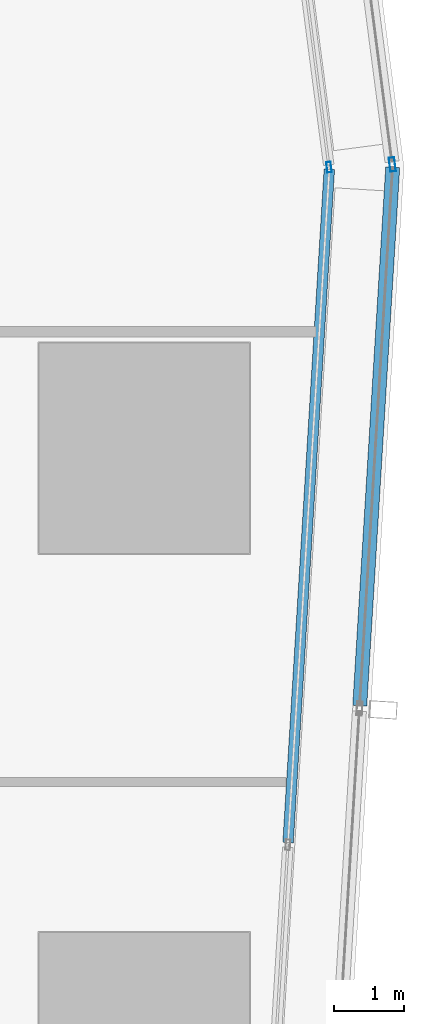
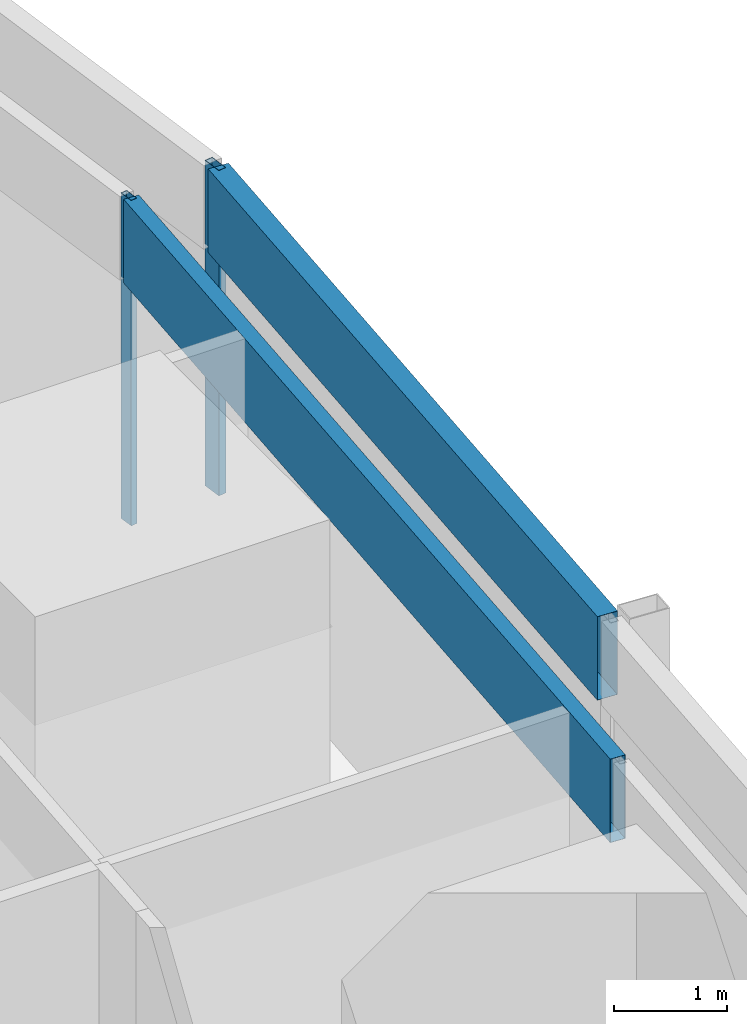
# One storey, part 25 of 39: 4 members, 4 elements without a shape of their own.
"""IFC4 building model written with IfcOpenShell, lengths in metres."""

from ifc_helpers import new_model, si_unit, direction, frame, origin, origin_2d, place, context, subcontext, project, spatial, hollow_rectangle, extrude, material, material_profile, profile_set, type_object, element, aggregate, save


model = new_model("IFC4")

# Units and contexts
model_context = context("Model", 3, precision=1e-05, world=origin(), true_north=direction((0.0, 1.0)))
body_context = subcontext(model_context, "Body", "Model", "MODEL_VIEW")
ifc_project = project(units=[si_unit("LENGTHUNIT", "METRE"), si_unit("AREAUNIT", "SQUARE_METRE"), si_unit("VOLUMEUNIT", "CUBIC_METRE"), si_unit("PLANEANGLEUNIT", "RADIAN"), si_unit("MASSUNIT", "GRAM", prefix="KILO")], contexts=[model_context])

# Site, building, storey
site_placement = place(None, origin())
site = spatial("IfcSite", under=ifc_project, at=site_placement, CompositionType="ELEMENT")
building_placement = place(site_placement, origin())
building = spatial("IfcBuilding", under=site, at=building_placement, Name="Rekha Terrace Tower", CompositionType="ELEMENT")
storey_placement = place(building_placement, frame((0.0, 0.0, 155.300048828125)))
storey = spatial("IfcBuildingStorey", under=building, at=storey_placement, Name="L39", CompositionType="ELEMENT", Elevation=155.300048828125)

# Curtain wall, member
ifc_material_1 = material(Name="Aluminium framing", Category="aluminium")
curtain_wall_type_1 = type_object("IfcCurtainWallType", Name="CW1 double skin inner glazing", PredefinedType="USERDEFINED", material=ifc_material_1)
curtain_wall_1_placement = place(storey_placement, origin())
curtain_wall_1 = element("IfcCurtainWall", 1, at=curtain_wall_1_placement, inside=storey, type_object=curtain_wall_type_1, Name="CW1 double skin inner glazing", ObjectType="DOUBLE SKIN INNER GLAZING", PredefinedType="USERDEFINED")
ifc_material_2 = material(Name="Aluminium mullion section", Category="aluminium")
ifc_material_profile_1 = material_profile(ifc_material_2, hollow_rectangle(XDim=0.06494140625, YDim=0.14990234375, WallThickness=0.00390625, at=origin_2d()), Name="AL RHS 65x150")
ifc_profile_set_1 = profile_set([ifc_material_profile_1], Name="Aluminium mullion section")
member_type_1 = type_object("IfcMemberType", Name="CW1 mullion RHS 65 x 150", PredefinedType="MULLION", material=ifc_profile_set_1)
member_1_placement = place(storey_placement, frame((69.83154296875, 46.00390625, 0.0), z_axis=(0.0, 0.0, 1.0), x_axis=(-0.991629186242, -0.129118383641, 0.0)))
member_1 = element("IfcMember", 2, at=member_1_placement, type_object=member_type_1, Name="CW1 mullion 1", PredefinedType="MULLION", context=body_context, shape_type="SweptSolid", body=[
    extrude(hollow_rectangle(XDim=0.06494140625, YDim=0.14990234375, WallThickness=0.00390625, at=origin_2d()), origin(), (0.0, 0.0, 1.0), 3.5),
])
aggregate(curtain_wall_1, [member_1])

curtain_wall_2_placement = place(storey_placement, origin())
curtain_wall_2 = element("IfcCurtainWall", 3, at=curtain_wall_2_placement, inside=storey, type_object=curtain_wall_type_1, Name="CW1 double skin inner glazing", ObjectType="DOUBLE SKIN INNER GLAZING", PredefinedType="USERDEFINED")
ifc_material_3 = material(Name="Insulated aluminium spandrel box", Category="aluminium")
ifc_material_profile_2 = material_profile(ifc_material_3, hollow_rectangle(XDim=0.14990234375, YDim=0.89990234375, WallThickness=0.0029296875, at=origin_2d()), Name="AL SPANDREL BOX 150x900")
ifc_profile_set_2 = profile_set([ifc_material_profile_2], Name="Insulated aluminium spandrel box")
member_type_2 = type_object("IfcMemberType", Name="CW1 spandrel transom 150 x 900", PredefinedType="USERDEFINED", material=ifc_profile_set_2)
member_2_placement = place(storey_placement, frame((69.248046875, 36.379638671875, 3.050048828125), z_axis=(0.061149319424, 0.998128629353, 0.0), x_axis=(-0.998128629353, 0.061149319424, 0.0)))
member_2 = element("IfcMember", 4, at=member_2_placement, type_object=member_type_2, Name="CW1 spandrel transom 2", ObjectType="TRANSOM", PredefinedType="USERDEFINED", context=body_context, shape_type="SweptSolid", body=[
    extrude(hollow_rectangle(XDim=0.14990234375, YDim=0.89990234375, WallThickness=0.0029296875, at=origin_2d()), origin(), (0.0, 0.0, 1.0), 9.610107421875),
])
aggregate(curtain_wall_2, [member_2])

curtain_wall_type_2 = type_object("IfcCurtainWallType", Name="CW2 double skin outer glazing", PredefinedType="USERDEFINED", material=ifc_material_1)
curtain_wall_3_placement = place(storey_placement, origin())
curtain_wall_3 = element("IfcCurtainWall", 5, at=curtain_wall_3_placement, inside=storey, type_object=curtain_wall_type_2, Name="CW2 double skin outer glazing", ObjectType="DOUBLE SKIN OUTER GLAZING", PredefinedType="USERDEFINED")
ifc_material_profile_3 = material_profile(ifc_material_2, hollow_rectangle(XDim=0.080078125, YDim=0.199951171875, WallThickness=0.00390625, at=origin_2d()), Name="AL RHS 80x200")
ifc_profile_set_3 = profile_set([ifc_material_profile_3], Name="Aluminium mullion section")
member_type_3 = type_object("IfcMemberType", Name="CW2 mullion RHS 80 x 200", PredefinedType="MULLION", material=ifc_profile_set_3)
member_3_placement = place(storey_placement, frame((70.734130859375, 46.042236328125, 0.0), z_axis=(0.0, 0.0, 1.0), x_axis=(-0.991629186244, -0.129118383623, 0.0)))
member_3 = element("IfcMember", 6, at=member_3_placement, type_object=member_type_3, Name="CW2 mullion 1", PredefinedType="MULLION", context=body_context, shape_type="SweptSolid", body=[
    extrude(hollow_rectangle(XDim=0.080078125, YDim=0.199951171875, WallThickness=0.00390625, at=origin_2d()), origin(), (0.0, 0.0, 1.0), 3.5),
])
aggregate(curtain_wall_3, [member_3])

curtain_wall_4_placement = place(storey_placement, origin())
curtain_wall_4 = element("IfcCurtainWall", 7, at=curtain_wall_4_placement, inside=storey, type_object=curtain_wall_type_2, Name="CW2 double skin outer glazing", ObjectType="DOUBLE SKIN OUTER GLAZING", PredefinedType="USERDEFINED")
ifc_material_profile_4 = material_profile(ifc_material_3, hollow_rectangle(XDim=0.199951171875, YDim=0.89990234375, WallThickness=0.0029296875, at=origin_2d()), Name="AL SPANDREL BOX 200x900")
ifc_profile_set_4 = profile_set([ifc_material_profile_4], Name="Insulated aluminium spandrel box")
member_type_4 = type_object("IfcMemberType", Name="CW2 spandrel transom 200 x 900", PredefinedType="USERDEFINED", material=ifc_profile_set_4)
member_4_placement = place(storey_placement, frame((70.269287109375, 38.330322265625, 3.050048828125), z_axis=(0.061142352683, 0.998129056139, 0.0), x_axis=(-0.998129056139, 0.061142352683, 0.0)))
member_4 = element("IfcMember", 8, at=member_4_placement, type_object=member_type_4, Name="CW2 spandrel transom 4", ObjectType="TRANSOM", PredefinedType="USERDEFINED", context=body_context, shape_type="SweptSolid", body=[
    extrude(hollow_rectangle(XDim=0.199951171875, YDim=0.89990234375, WallThickness=0.0029296875, at=origin_2d()), origin(), (0.0, 0.0, 1.0), 7.6865234375),
])
aggregate(curtain_wall_4, [member_4])

save(model, "model.ifc")
